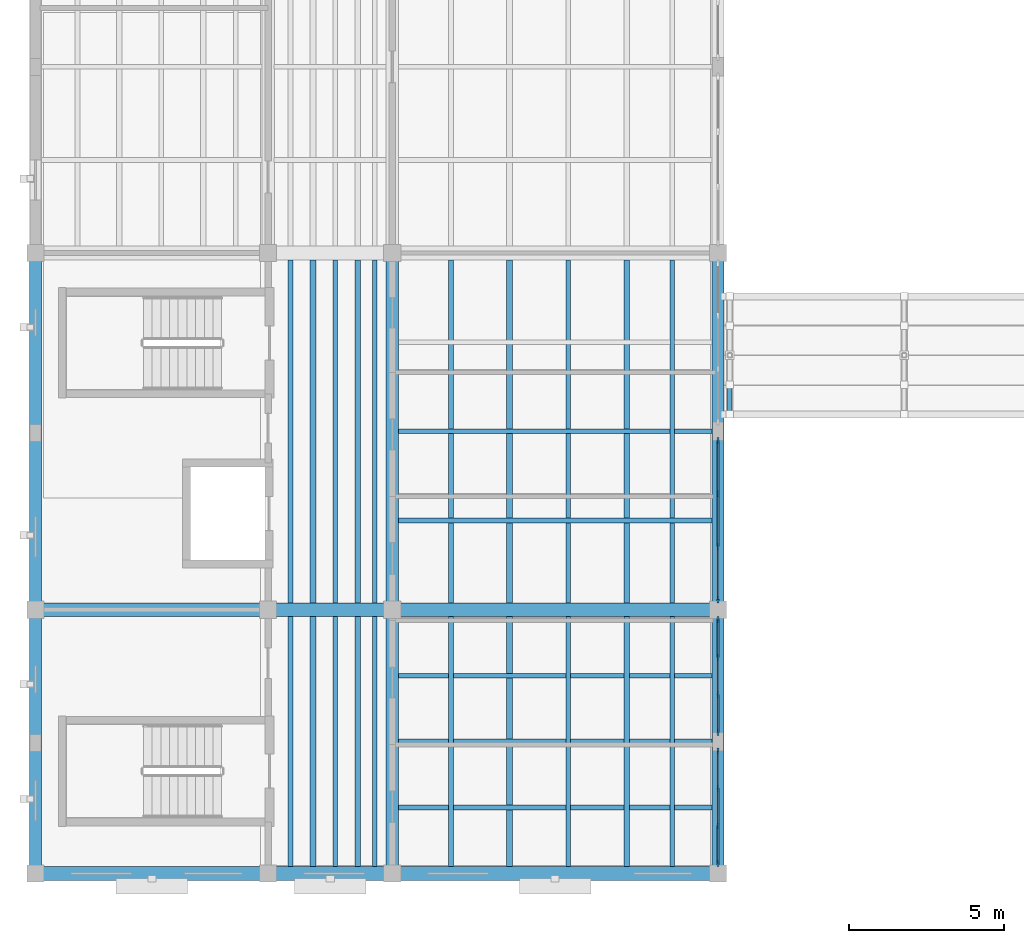
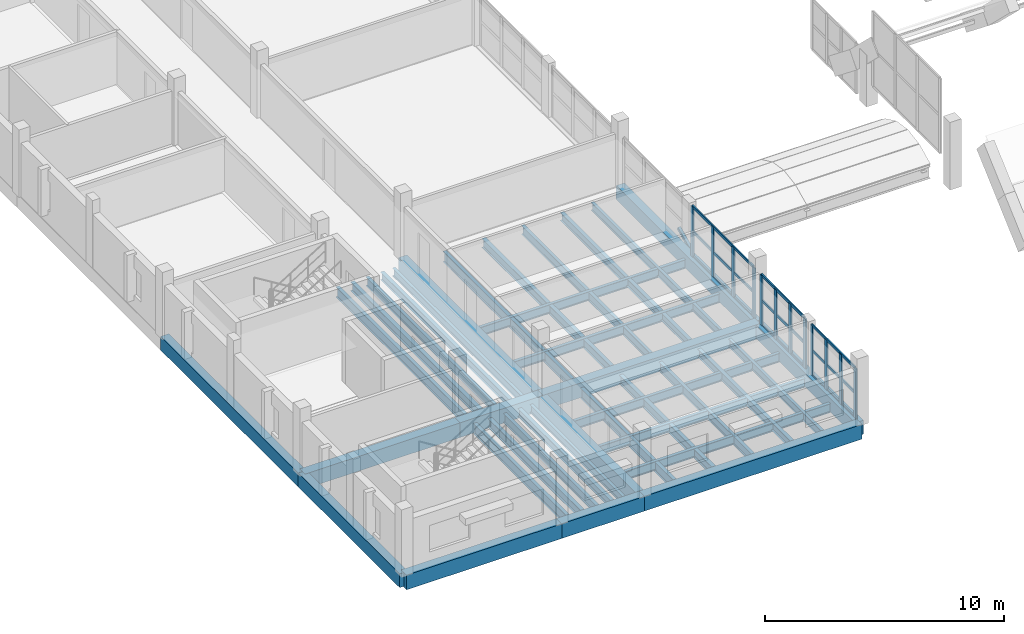
# One storey, part 3 of 48: 37 beams, 22 members, 3 elements without a shape of their own.
"""IFC4 building model written with IfcOpenShell, lengths in metres."""

from ifc_helpers import new_model, si_unit, direction, frame, origin, origin_2d, place, context, subcontext, project, spatial, rectangle, hollow_rectangle, i_section, extrude, material, layer, layer_set, material_profile, profile_set, type_object, element, aggregate, save


model = new_model("IFC4")

# Units and contexts
model_context = context("Model", 3, precision=1e-05, world=origin(), true_north=direction((0.0, 1.0)))
body_context = subcontext(model_context, "Body", "Model", "MODEL_VIEW")
ifc_project = project(units=[si_unit("LENGTHUNIT", "METRE"), si_unit("AREAUNIT", "SQUARE_METRE"), si_unit("VOLUMEUNIT", "CUBIC_METRE"), si_unit("PLANEANGLEUNIT", "RADIAN"), si_unit("MASSUNIT", "GRAM", prefix="KILO")], contexts=[model_context])

# Site, building, storey
site_placement = place(None, origin())
site = spatial("IfcSite", under=ifc_project, at=site_placement, CompositionType="ELEMENT")
building_placement = place(site_placement, origin())
building = spatial("IfcBuilding", under=site, at=building_placement, Name="Trellovar Central Fire Station", CompositionType="ELEMENT")
storey_placement = place(building_placement, frame((0.0, 0.0, 9.300048828125)))
storey = spatial("IfcBuildingStorey", under=building, at=storey_placement, Name="L03", CompositionType="ELEMENT", Elevation=9.300048828125)

# Beams
ifc_material_1 = material(Name="Concrete C40/50", Category="concrete")
ifc_material_profile_1 = material_profile(ifc_material_1, rectangle(XDim=0.449951171875, YDim=0.75, at=origin_2d()), Name="RC450X750")
ifc_profile_set_1 = profile_set([ifc_material_profile_1], Name="Concrete C40/50")
beam_type_1 = type_object("IfcBeamType", Name="BM-G2", PredefinedType="BEAM", material=ifc_profile_set_1)
beam_1_placement = place(storey_placement, frame((1.0, 9.0, -0.375), z_axis=(1.0, 0.0, 0.0), x_axis=(0.0, 1.0, 0.0)))
element("IfcBeam", 1, at=beam_1_placement, inside=storey, type_object=beam_type_1, Name="L03 beam G-2", PredefinedType="BEAM", context=body_context, shape_type="SweptSolid", body=[
    extrude(rectangle(XDim=0.449951171875, YDim=0.75, at=origin_2d()), origin(), (0.0, 0.0, 1.0), 7.5),
])
beam_2_placement = place(storey_placement, frame((8.5, 9.0, -0.375), z_axis=(1.0, 0.0, 0.0), x_axis=(0.0, 1.0, 0.0)))
element("IfcBeam", 2, at=beam_2_placement, inside=storey, type_object=beam_type_1, Name="L03 beam G-2", PredefinedType="BEAM", context=body_context, shape_type="SweptSolid", body=[
    extrude(rectangle(XDim=0.449951171875, YDim=0.75, at=origin_2d()), origin(), (0.0, 0.0, 1.0), 4.0),
])
beam_3_placement = place(storey_placement, frame((12.5, 9.0, -0.375), z_axis=(1.0, 0.0, 0.0), x_axis=(0.0, 1.0, 0.0)))
element("IfcBeam", 3, at=beam_3_placement, inside=storey, type_object=beam_type_1, Name="L03 beam G-2", PredefinedType="BEAM", context=body_context, shape_type="SweptSolid", body=[
    extrude(rectangle(XDim=0.449951171875, YDim=0.75, at=origin_2d()), origin(), (0.0, 0.0, 1.0), 10.5),
])
beam_4_placement = place(storey_placement, frame((1.0, 17.5, -0.375), z_axis=(1.0, 0.0, 0.0), x_axis=(0.0, 1.0, 0.0)))
element("IfcBeam", 4, at=beam_4_placement, inside=storey, type_object=beam_type_1, Name="L03 beam G-2", PredefinedType="BEAM", context=body_context, shape_type="SweptSolid", body=[
    extrude(rectangle(XDim=0.449951171875, YDim=0.75, at=origin_2d()), origin(), (0.0, 0.0, 1.0), 7.5),
])
beam_5_placement = place(storey_placement, frame((8.5, 17.5, -0.375), z_axis=(1.0, 0.0, 0.0), x_axis=(0.0, 1.0, 0.0)))
element("IfcBeam", 5, at=beam_5_placement, inside=storey, type_object=beam_type_1, Name="L03 beam G-2", PredefinedType="BEAM", context=body_context, shape_type="SweptSolid", body=[
    extrude(rectangle(XDim=0.449951171875, YDim=0.75, at=origin_2d()), origin(), (0.0, 0.0, 1.0), 4.0),
])
beam_6_placement = place(storey_placement, frame((12.5, 17.5, -0.375), z_axis=(1.0, 0.0, 0.0), x_axis=(0.0, 1.0, 0.0)))
element("IfcBeam", 6, at=beam_6_placement, inside=storey, type_object=beam_type_1, Name="L03 beam G-2", PredefinedType="BEAM", context=body_context, shape_type="SweptSolid", body=[
    extrude(rectangle(XDim=0.449951171875, YDim=0.75, at=origin_2d()), origin(), (0.0, 0.0, 1.0), 10.5),
])
ifc_material_2 = material(Name="Concrete C40/50", Category="concrete")
ifc_material_profile_2 = material_profile(ifc_material_2, rectangle(XDim=0.39990234375, YDim=0.699951171875, at=origin_2d()), Name="RC400X700")
ifc_profile_set_2 = profile_set([ifc_material_profile_2], Name="Concrete C40/50")
beam_type_2 = type_object("IfcBeamType", Name="BM-G3", PredefinedType="BEAM", material=ifc_profile_set_2)
beam_7_placement = place(storey_placement, frame((1.0, 9.0, -0.35009765625), z_axis=(0.0, 1.0, 0.0), x_axis=(-1.0, 0.0, 0.0)))
element("IfcBeam", 7, at=beam_7_placement, inside=storey, type_object=beam_type_2, Name="L03 beam G-3", PredefinedType="BEAM", context=body_context, shape_type="SweptSolid", body=[
    extrude(rectangle(XDim=0.39990234375, YDim=0.699951171875, at=origin_2d()), origin(), (0.0, 0.0, 1.0), 8.5),
])
beam_8_placement = place(storey_placement, frame((1.0, 17.5, -0.35009765625), z_axis=(0.0, 1.0, 0.0), x_axis=(-1.0, 0.0, 0.0)))
element("IfcBeam", 8, at=beam_8_placement, inside=storey, type_object=beam_type_2, Name="L03 beam G-3", PredefinedType="BEAM", context=body_context, shape_type="SweptSolid", body=[
    extrude(rectangle(XDim=0.39990234375, YDim=0.699951171875, at=origin_2d()), origin(), (0.0, 0.0, 1.0), 11.5),
])
beam_9_placement = place(storey_placement, frame((12.5, 9.0, -0.35009765625), z_axis=(0.0, 1.0, 0.0), x_axis=(-1.0, 0.0, 0.0)))
element("IfcBeam", 9, at=beam_9_placement, inside=storey, type_object=beam_type_2, Name="L03 beam G-3", PredefinedType="BEAM", context=body_context, shape_type="SweptSolid", body=[
    extrude(rectangle(XDim=0.39990234375, YDim=0.699951171875, at=origin_2d()), origin(), (0.0, 0.0, 1.0), 8.5),
])
beam_10_placement = place(storey_placement, frame((12.5, 17.5, -0.35009765625), z_axis=(0.0, 1.0, 0.0), x_axis=(-1.0, 0.0, 0.0)))
element("IfcBeam", 10, at=beam_10_placement, inside=storey, type_object=beam_type_2, Name="L03 beam G-3", PredefinedType="BEAM", context=body_context, shape_type="SweptSolid", body=[
    extrude(rectangle(XDim=0.39990234375, YDim=0.699951171875, at=origin_2d()), origin(), (0.0, 0.0, 1.0), 11.5),
])
beam_11_placement = place(storey_placement, frame((23.0, 9.0, -0.35009765625), z_axis=(0.0, 1.0, 0.0), x_axis=(-1.0, 0.0, 0.0)))
element("IfcBeam", 11, at=beam_11_placement, inside=storey, type_object=beam_type_2, Name="L03 beam G-3", PredefinedType="BEAM", context=body_context, shape_type="SweptSolid", body=[
    extrude(rectangle(XDim=0.39990234375, YDim=0.699951171875, at=origin_2d()), origin(), (0.0, 0.0, 1.0), 8.5),
])
beam_12_placement = place(storey_placement, frame((23.0, 17.5, -0.35009765625), z_axis=(0.0, 1.0, 0.0), x_axis=(-1.0, 0.0, 0.0)))
element("IfcBeam", 12, at=beam_12_placement, inside=storey, type_object=beam_type_2, Name="L03 beam G-3", PredefinedType="BEAM", context=body_context, shape_type="SweptSolid", body=[
    extrude(rectangle(XDim=0.39990234375, YDim=0.699951171875, at=origin_2d()), origin(), (0.0, 0.0, 1.0), 11.5),
])
ifc_material_3 = material(Name="Steel ASTM A992 Grade 50", Category="steel")
ifc_material_profile_3 = material_profile(ifc_material_3, i_section(OverallWidth=0.15283203125, OverallDepth=0.45458984375, WebThickness=0.008056640625, FlangeThickness=0.01318359375, FilletRadius=0.0126953125, at=origin_2d()), Name="W18X40")
ifc_profile_set_3 = profile_set([ifc_material_profile_3], Name="Steel ASTM A992 Grade 50")
beam_type_3 = type_object("IfcBeamType", Name="BM-SW10", PredefinedType="JOIST", material=ifc_profile_set_3)
for number, where, z_axis, x_axis, name in (
    (13, (12.695068359375, 11.125, -0.477294921875), (1.0, 0.0, 0.0), (0.0, 1.0, 0.0), "L03 beam SB-10"),
    (14, (12.695068359375, 13.25, -0.477294921875), (1.0, 0.0, 0.0), (0.0, 1.0, 0.0), "L03 beam SB-10"),
    (15, (12.695068359375, 15.375, -0.477294921875), (1.0, 0.0, 0.0), (0.0, 1.0, 0.0), "L03 beam SB-10"),
    (16, (12.695068359375, 20.375, -0.477294921875), (1.0, 0.0, 0.0), (0.0, 1.0, 0.0), "L03 beam SB-10"),
    (17, (12.695068359375, 23.25, -0.477294921875), (1.0, 0.0, 0.0), (0.0, 1.0, 0.0), "L03 beam SB-10"),
):
    element("IfcBeam", number, at=place(storey_placement, frame(where, z_axis=z_axis, x_axis=x_axis)), inside=storey, type_object=beam_type_3, Name=name, PredefinedType="JOIST", context=body_context, shape_type="SweptSolid", body=[
        extrude(i_section(OverallWidth=0.15283203125, OverallDepth=0.45458984375, WebThickness=0.008056640625, FlangeThickness=0.01318359375, FilletRadius=0.0126953125, at=origin_2d()), origin(), (0.0, 0.0, 1.0), 10.10986328125),
    ])
beam_13_placement = place(storey_placement, frame((10.659912109375, 9.219970703125, -0.477294921875), z_axis=(0.0, 1.0, 0.0), x_axis=(-1.0, 0.0, 0.0)))
element("IfcBeam", 18, at=beam_13_placement, inside=storey, type_object=beam_type_3, Name="L03 secondary steel deck joist", PredefinedType="JOIST", context=body_context, shape_type="SweptSolid", body=[
    extrude(i_section(OverallWidth=0.15283203125, OverallDepth=0.45458984375, WebThickness=0.008056640625, FlangeThickness=0.01318359375, FilletRadius=0.0126953125, at=origin_2d()), origin(), (0.0, 0.0, 1.0), 8.06005859375),
])
beam_14_placement = place(storey_placement, frame((10.659912109375, 17.719970703125, -0.477294921875), z_axis=(0.0, 1.0, 0.0), x_axis=(-1.0, 0.0, 0.0)))
element("IfcBeam", 19, at=beam_14_placement, inside=storey, type_object=beam_type_3, Name="L03 secondary steel deck joist", PredefinedType="JOIST", context=body_context, shape_type="SweptSolid", body=[
    extrude(i_section(OverallWidth=0.15283203125, OverallDepth=0.45458984375, WebThickness=0.008056640625, FlangeThickness=0.01318359375, FilletRadius=0.0126953125, at=origin_2d()), origin(), (0.0, 0.0, 1.0), 11.06005859375),
])
beam_15_placement = place(storey_placement, frame((18.169921875, 9.219970703125, -0.477294921875), z_axis=(0.0, 1.0, 0.0), x_axis=(-1.0, 0.0, 0.0)))
element("IfcBeam", 20, at=beam_15_placement, inside=storey, type_object=beam_type_3, Name="L03 secondary steel deck joist", PredefinedType="JOIST", context=body_context, shape_type="SweptSolid", body=[
    extrude(i_section(OverallWidth=0.15283203125, OverallDepth=0.45458984375, WebThickness=0.008056640625, FlangeThickness=0.01318359375, FilletRadius=0.0126953125, at=origin_2d()), origin(), (0.0, 0.0, 1.0), 8.06005859375),
])
beam_16_placement = place(storey_placement, frame((18.169921875, 17.719970703125, -0.477294921875), z_axis=(0.0, 1.0, 0.0), x_axis=(-1.0, 0.0, 0.0)))
element("IfcBeam", 21, at=beam_16_placement, inside=storey, type_object=beam_type_3, Name="L03 secondary steel deck joist", PredefinedType="JOIST", context=body_context, shape_type="SweptSolid", body=[
    extrude(i_section(OverallWidth=0.15283203125, OverallDepth=0.45458984375, WebThickness=0.008056640625, FlangeThickness=0.01318359375, FilletRadius=0.0126953125, at=origin_2d()), origin(), (0.0, 0.0, 1.0), 11.06005859375),
])
ifc_material_4 = material(Name="Steel ASTM A992 Grade 50", Category="steel")
ifc_material_profile_4 = material_profile(ifc_material_4, i_section(OverallWidth=0.177490234375, OverallDepth=0.40380859375, WebThickness=0.007568359375, FlangeThickness=0.010986328125, FilletRadius=0.011474609375, at=origin_2d()), Name="W16X36")
ifc_profile_set_4 = profile_set([ifc_material_profile_4], Name="Steel ASTM A992 Grade 50")
beam_type_4 = type_object("IfcBeamType", Name="BM-SW11", PredefinedType="JOIST", material=ifc_profile_set_4)
beam_17_placement = place(storey_placement, frame((11.3798828125, 9.219970703125, -0.451904296875), z_axis=(0.0, 1.0, 0.0), x_axis=(-1.0, 0.0, 0.0)))
element("IfcBeam", 22, at=beam_17_placement, inside=storey, type_object=beam_type_4, Name="L03 secondary steel deck joist", PredefinedType="JOIST", context=body_context, shape_type="SweptSolid", body=[
    extrude(i_section(OverallWidth=0.177490234375, OverallDepth=0.40380859375, WebThickness=0.007568359375, FlangeThickness=0.010986328125, FilletRadius=0.011474609375, at=origin_2d()), origin(), (0.0, 0.0, 1.0), 8.06005859375),
])
beam_18_placement = place(storey_placement, frame((11.3798828125, 17.719970703125, -0.451904296875), z_axis=(0.0, 1.0, 0.0), x_axis=(-1.0, 0.0, 0.0)))
element("IfcBeam", 23, at=beam_18_placement, inside=storey, type_object=beam_type_4, Name="L03 secondary steel deck joist", PredefinedType="JOIST", context=body_context, shape_type="SweptSolid", body=[
    extrude(i_section(OverallWidth=0.177490234375, OverallDepth=0.40380859375, WebThickness=0.007568359375, FlangeThickness=0.010986328125, FilletRadius=0.011474609375, at=origin_2d()), origin(), (0.0, 0.0, 1.0), 11.06005859375),
])
beam_19_placement = place(storey_placement, frame((20.06005859375, 9.219970703125, -0.451904296875), z_axis=(0.0, 1.0, 0.0), x_axis=(-1.0, 0.0, 0.0)))
element("IfcBeam", 24, at=beam_19_placement, inside=storey, type_object=beam_type_4, Name="L03 secondary steel deck joist", PredefinedType="JOIST", context=body_context, shape_type="SweptSolid", body=[
    extrude(i_section(OverallWidth=0.177490234375, OverallDepth=0.40380859375, WebThickness=0.007568359375, FlangeThickness=0.010986328125, FilletRadius=0.011474609375, at=origin_2d()), origin(), (0.0, 0.0, 1.0), 8.06005859375),
])
beam_20_placement = place(storey_placement, frame((20.06005859375, 17.719970703125, -0.451904296875), z_axis=(0.0, 1.0, 0.0), x_axis=(-1.0, 0.0, 0.0)))
element("IfcBeam", 25, at=beam_20_placement, inside=storey, type_object=beam_type_4, Name="L03 secondary steel deck joist", PredefinedType="JOIST", context=body_context, shape_type="SweptSolid", body=[
    extrude(i_section(OverallWidth=0.177490234375, OverallDepth=0.40380859375, WebThickness=0.007568359375, FlangeThickness=0.010986328125, FilletRadius=0.011474609375, at=origin_2d()), origin(), (0.0, 0.0, 1.0), 11.06005859375),
])
ifc_material_5 = material(Name="Steel ASTM A992 Grade 50", Category="steel")
ifc_material_profile_5 = material_profile(ifc_material_5, i_section(OverallWidth=0.140380859375, OverallDepth=0.4033203125, WebThickness=0.007080078125, FlangeThickness=0.01123046875, FilletRadius=0.011474609375, at=origin_2d()), Name="W16X31")
ifc_profile_set_5 = profile_set([ifc_material_profile_5], Name="Steel ASTM A992 Grade 50")
beam_type_5 = type_object("IfcBeamType", Name="BM-SW12", PredefinedType="JOIST", material=ifc_profile_set_5)
beam_21_placement = place(storey_placement, frame((11.93994140625, 9.219970703125, -0.45166015625), z_axis=(0.0, 1.0, 0.0), x_axis=(-1.0, 0.0, 0.0)))
element("IfcBeam", 26, at=beam_21_placement, inside=storey, type_object=beam_type_5, Name="L03 secondary steel deck joist", PredefinedType="JOIST", context=body_context, shape_type="SweptSolid", body=[
    extrude(i_section(OverallWidth=0.140380859375, OverallDepth=0.4033203125, WebThickness=0.007080078125, FlangeThickness=0.01123046875, FilletRadius=0.011474609375, at=origin_2d()), origin(), (0.0, 0.0, 1.0), 8.06005859375),
])
beam_22_placement = place(storey_placement, frame((11.93994140625, 17.719970703125, -0.45166015625), z_axis=(0.0, 1.0, 0.0), x_axis=(-1.0, 0.0, 0.0)))
element("IfcBeam", 27, at=beam_22_placement, inside=storey, type_object=beam_type_5, Name="L03 secondary steel deck joist", PredefinedType="JOIST", context=body_context, shape_type="SweptSolid", body=[
    extrude(i_section(OverallWidth=0.140380859375, OverallDepth=0.4033203125, WebThickness=0.007080078125, FlangeThickness=0.01123046875, FilletRadius=0.011474609375, at=origin_2d()), origin(), (0.0, 0.0, 1.0), 11.06005859375),
])
beam_23_placement = place(storey_placement, frame((21.530029296875, 9.219970703125, -0.45166015625), z_axis=(0.0, 1.0, 0.0), x_axis=(-1.0, 0.0, 0.0)))
element("IfcBeam", 28, at=beam_23_placement, inside=storey, type_object=beam_type_5, Name="L03 secondary steel deck joist", PredefinedType="JOIST", context=body_context, shape_type="SweptSolid", body=[
    extrude(i_section(OverallWidth=0.140380859375, OverallDepth=0.4033203125, WebThickness=0.007080078125, FlangeThickness=0.01123046875, FilletRadius=0.011474609375, at=origin_2d()), origin(), (0.0, 0.0, 1.0), 8.06005859375),
])
beam_24_placement = place(storey_placement, frame((21.530029296875, 17.719970703125, -0.45166015625), z_axis=(0.0, 1.0, 0.0), x_axis=(-1.0, 0.0, 0.0)))
element("IfcBeam", 29, at=beam_24_placement, inside=storey, type_object=beam_type_5, Name="L03 secondary steel deck joist", PredefinedType="JOIST", context=body_context, shape_type="SweptSolid", body=[
    extrude(i_section(OverallWidth=0.140380859375, OverallDepth=0.4033203125, WebThickness=0.007080078125, FlangeThickness=0.01123046875, FilletRadius=0.011474609375, at=origin_2d()), origin(), (0.0, 0.0, 1.0), 11.06005859375),
])
ifc_material_6 = material(Name="Steel ASTM A992 Grade 50", Category="steel")
ifc_material_profile_6 = material_profile(ifc_material_6, i_section(OverallWidth=0.166015625, OverallDepth=0.529052734375, WebThickness=0.009765625, FlangeThickness=0.013671875, FilletRadius=0.013916015625, at=origin_2d()), Name="W21X50")
ifc_profile_set_6 = profile_set([ifc_material_profile_6], Name="Steel ASTM A992 Grade 50")
beam_type_6 = type_object("IfcBeamType", Name="BM-SW8", PredefinedType="JOIST", material=ifc_profile_set_6)
beam_25_placement = place(storey_placement, frame((9.219970703125, 9.219970703125, -0.5146484375), z_axis=(0.0, 1.0, 0.0), x_axis=(-1.0, 0.0, 0.0)))
element("IfcBeam", 30, at=beam_25_placement, inside=storey, type_object=beam_type_6, Name="L03 secondary steel deck joist", PredefinedType="JOIST", context=body_context, shape_type="SweptSolid", body=[
    extrude(i_section(OverallWidth=0.166015625, OverallDepth=0.529052734375, WebThickness=0.009765625, FlangeThickness=0.013671875, FilletRadius=0.013916015625, at=origin_2d()), origin(), (0.0, 0.0, 1.0), 8.06005859375),
])
beam_26_placement = place(storey_placement, frame((9.219970703125, 17.719970703125, -0.5146484375), z_axis=(0.0, 1.0, 0.0), x_axis=(-1.0, 0.0, 0.0)))
element("IfcBeam", 31, at=beam_26_placement, inside=storey, type_object=beam_type_6, Name="L03 secondary steel deck joist", PredefinedType="JOIST", context=body_context, shape_type="SweptSolid", body=[
    extrude(i_section(OverallWidth=0.166015625, OverallDepth=0.529052734375, WebThickness=0.009765625, FlangeThickness=0.013671875, FilletRadius=0.013916015625, at=origin_2d()), origin(), (0.0, 0.0, 1.0), 11.06005859375),
])
beam_27_placement = place(storey_placement, frame((14.389892578125, 9.219970703125, -0.5146484375), z_axis=(0.0, 1.0, 0.0), x_axis=(-1.0, 0.0, 0.0)))
element("IfcBeam", 32, at=beam_27_placement, inside=storey, type_object=beam_type_6, Name="L03 secondary steel deck joist", PredefinedType="JOIST", context=body_context, shape_type="SweptSolid", body=[
    extrude(i_section(OverallWidth=0.166015625, OverallDepth=0.529052734375, WebThickness=0.009765625, FlangeThickness=0.013671875, FilletRadius=0.013916015625, at=origin_2d()), origin(), (0.0, 0.0, 1.0), 8.06005859375),
])
beam_28_placement = place(storey_placement, frame((14.389892578125, 17.719970703125, -0.5146484375), z_axis=(0.0, 1.0, 0.0), x_axis=(-1.0, 0.0, 0.0)))
element("IfcBeam", 33, at=beam_28_placement, inside=storey, type_object=beam_type_6, Name="L03 secondary steel deck joist", PredefinedType="JOIST", context=body_context, shape_type="SweptSolid", body=[
    extrude(i_section(OverallWidth=0.166015625, OverallDepth=0.529052734375, WebThickness=0.009765625, FlangeThickness=0.013671875, FilletRadius=0.013916015625, at=origin_2d()), origin(), (0.0, 0.0, 1.0), 11.06005859375),
])
ifc_material_7 = material(Name="Steel ASTM A992 Grade 50", Category="steel")
ifc_material_profile_7 = material_profile(ifc_material_7, i_section(OverallWidth=0.1904296875, OverallDepth=0.457275390625, WebThickness=0.009033203125, FlangeThickness=0.014404296875, FilletRadius=0.0126953125, at=origin_2d()), Name="W18X50")
ifc_profile_set_7 = profile_set([ifc_material_profile_7], Name="Steel ASTM A992 Grade 50")
beam_type_7 = type_object("IfcBeamType", Name="BM-SW9", PredefinedType="JOIST", material=ifc_profile_set_7)
beam_29_placement = place(storey_placement, frame((9.93994140625, 9.219970703125, -0.478759765625), z_axis=(0.0, 1.0, 0.0), x_axis=(-1.0, 0.0, 0.0)))
element("IfcBeam", 34, at=beam_29_placement, inside=storey, type_object=beam_type_7, Name="L03 secondary steel deck joist", PredefinedType="JOIST", context=body_context, shape_type="SweptSolid", body=[
    extrude(i_section(OverallWidth=0.1904296875, OverallDepth=0.457275390625, WebThickness=0.009033203125, FlangeThickness=0.014404296875, FilletRadius=0.0126953125, at=origin_2d()), origin(), (0.0, 0.0, 1.0), 8.06005859375),
])
beam_30_placement = place(storey_placement, frame((9.93994140625, 17.719970703125, -0.478759765625), z_axis=(0.0, 1.0, 0.0), x_axis=(-1.0, 0.0, 0.0)))
element("IfcBeam", 35, at=beam_30_placement, inside=storey, type_object=beam_type_7, Name="L03 secondary steel deck joist", PredefinedType="JOIST", context=body_context, shape_type="SweptSolid", body=[
    extrude(i_section(OverallWidth=0.1904296875, OverallDepth=0.457275390625, WebThickness=0.009033203125, FlangeThickness=0.014404296875, FilletRadius=0.0126953125, at=origin_2d()), origin(), (0.0, 0.0, 1.0), 11.06005859375),
])
beam_31_placement = place(storey_placement, frame((16.280029296875, 9.219970703125, -0.478759765625), z_axis=(0.0, 1.0, 0.0), x_axis=(-1.0, 0.0, 0.0)))
element("IfcBeam", 36, at=beam_31_placement, inside=storey, type_object=beam_type_7, Name="L03 secondary steel deck joist", PredefinedType="JOIST", context=body_context, shape_type="SweptSolid", body=[
    extrude(i_section(OverallWidth=0.1904296875, OverallDepth=0.457275390625, WebThickness=0.009033203125, FlangeThickness=0.014404296875, FilletRadius=0.0126953125, at=origin_2d()), origin(), (0.0, 0.0, 1.0), 8.06005859375),
])
beam_32_placement = place(storey_placement, frame((16.280029296875, 17.719970703125, -0.478759765625), z_axis=(0.0, 1.0, 0.0), x_axis=(-1.0, 0.0, 0.0)))
element("IfcBeam", 37, at=beam_32_placement, inside=storey, type_object=beam_type_7, Name="L03 secondary steel deck joist", PredefinedType="JOIST", context=body_context, shape_type="SweptSolid", body=[
    extrude(i_section(OverallWidth=0.1904296875, OverallDepth=0.457275390625, WebThickness=0.009033203125, FlangeThickness=0.014404296875, FilletRadius=0.0126953125, at=origin_2d()), origin(), (0.0, 0.0, 1.0), 11.06005859375),
])

# Curtain wall, members
ifc_material_8 = material(Name="Thermally broken bronze anodized aluminum", Category="aluminium")
ifc_layer_1 = layer(ifc_material_8, 0.159912109375)
ifc_layer_set_1 = layer_set([ifc_layer_1], Name="Thermally broken bronze anodized aluminum")
curtain_wall_type_1 = type_object("IfcCurtainWallType", Name="CW-01", PredefinedType="NOTDEFINED", material=ifc_layer_set_1)
curtain_wall_1_placement = place(storey_placement, origin())
curtain_wall_1 = element("IfcCurtainWall", 38, at=curtain_wall_1_placement, inside=storey, type_object=curtain_wall_type_1, Name="L03 curtain wall CW-1", PredefinedType="NOTDEFINED")
ifc_material_9 = material(Name="Thermally broken bronze anodized aluminum", Category="aluminium")
ifc_material_profile_8 = material_profile(ifc_material_9, rectangle(XDim=0.074951171875, YDim=0.199951171875, at=origin_2d()), Name="ALU75X200")
ifc_profile_set_8 = profile_set([ifc_material_profile_8], Name="Thermally broken bronze anodized aluminum")
member_type_1 = type_object("IfcMemberType", Name="CWM-1", PredefinedType="MULLION", material=ifc_profile_set_8)
member_1_placement = place(storey_placement, frame((23.0, 9.324951171875, 0.0), z_axis=(0.0, 0.0, 1.0), x_axis=(1.0, 0.0, 0.0)))
member_1 = element("IfcMember", 39, at=member_1_placement, type_object=member_type_1, Name="CW3-L03-0045 mullion 1", PredefinedType="MULLION", context=body_context, shape_type="SweptSolid", body=[
    extrude(rectangle(XDim=0.074951171875, YDim=0.199951171875, at=origin_2d()), origin(), (0.0, 0.0, 1.0), 2.550048828125),
])
member_2_placement = place(storey_placement, frame((23.0, 10.533203125, 0.0), z_axis=(0.0, 0.0, 1.0), x_axis=(1.0, 0.0, 0.0)))
member_2 = element("IfcMember", 40, at=member_2_placement, type_object=member_type_1, Name="CW3-L03-0045 mullion 2", PredefinedType="MULLION", context=body_context, shape_type="SweptSolid", body=[
    extrude(rectangle(XDim=0.074951171875, YDim=0.199951171875, at=origin_2d()), origin(), (0.0, 0.0, 1.0), 2.550048828125),
])
member_3_placement = place(storey_placement, frame((23.0, 11.74169921875, 0.0), z_axis=(0.0, 0.0, 1.0), x_axis=(1.0, 0.0, 0.0)))
member_3 = element("IfcMember", 41, at=member_3_placement, type_object=member_type_1, Name="CW3-L03-0045 mullion 3", PredefinedType="MULLION", context=body_context, shape_type="SweptSolid", body=[
    extrude(rectangle(XDim=0.074951171875, YDim=0.199951171875, at=origin_2d()), origin(), (0.0, 0.0, 1.0), 2.550048828125),
])
member_4_placement = place(storey_placement, frame((23.0, 12.949951171875, 0.0), z_axis=(0.0, 0.0, 1.0), x_axis=(1.0, 0.0, 0.0)))
member_4 = element("IfcMember", 42, at=member_4_placement, type_object=member_type_1, Name="CW3-L03-0045 mullion 4", PredefinedType="MULLION", context=body_context, shape_type="SweptSolid", body=[
    extrude(rectangle(XDim=0.074951171875, YDim=0.199951171875, at=origin_2d()), origin(), (0.0, 0.0, 1.0), 2.550048828125),
])

curtain_wall_2_placement = place(storey_placement, origin())
curtain_wall_2 = element("IfcCurtainWall", 43, at=curtain_wall_2_placement, inside=storey, type_object=curtain_wall_type_1, Name="L03 curtain wall CW-1", PredefinedType="NOTDEFINED")
member_5_placement = place(storey_placement, frame((23.0, 13.550048828125, 0.0), z_axis=(0.0, 0.0, 1.0), x_axis=(1.0, 0.0, 0.0)))
member_5 = element("IfcMember", 44, at=member_5_placement, type_object=member_type_1, Name="CW3-L03-0046 mullion 1", PredefinedType="MULLION", context=body_context, shape_type="SweptSolid", body=[
    extrude(rectangle(XDim=0.074951171875, YDim=0.199951171875, at=origin_2d()), origin(), (0.0, 0.0, 1.0), 2.550048828125),
])
member_6_placement = place(storey_placement, frame((23.0, 14.75830078125, 0.0), z_axis=(0.0, 0.0, 1.0), x_axis=(1.0, 0.0, 0.0)))
member_6 = element("IfcMember", 45, at=member_6_placement, type_object=member_type_1, Name="CW3-L03-0046 mullion 2", PredefinedType="MULLION", context=body_context, shape_type="SweptSolid", body=[
    extrude(rectangle(XDim=0.074951171875, YDim=0.199951171875, at=origin_2d()), origin(), (0.0, 0.0, 1.0), 2.550048828125),
])
member_7_placement = place(storey_placement, frame((23.0, 15.966796875, 0.0), z_axis=(0.0, 0.0, 1.0), x_axis=(1.0, 0.0, 0.0)))
member_7 = element("IfcMember", 46, at=member_7_placement, type_object=member_type_1, Name="CW3-L03-0046 mullion 3", PredefinedType="MULLION", context=body_context, shape_type="SweptSolid", body=[
    extrude(rectangle(XDim=0.074951171875, YDim=0.199951171875, at=origin_2d()), origin(), (0.0, 0.0, 1.0), 2.550048828125),
])
member_8_placement = place(storey_placement, frame((23.0, 17.175048828125, 0.0), z_axis=(0.0, 0.0, 1.0), x_axis=(1.0, 0.0, 0.0)))
member_8 = element("IfcMember", 47, at=member_8_placement, type_object=member_type_1, Name="CW3-L03-0046 mullion 4", PredefinedType="MULLION", context=body_context, shape_type="SweptSolid", body=[
    extrude(rectangle(XDim=0.074951171875, YDim=0.199951171875, at=origin_2d()), origin(), (0.0, 0.0, 1.0), 2.550048828125),
])

ifc_material_10 = material(Name="Thermally broken bronze anodized aluminum", Category="aluminium")
ifc_layer_2 = layer(ifc_material_10, 0.159912109375)
ifc_layer_set_2 = layer_set([ifc_layer_2], Name="Thermally broken bronze anodized aluminum")
curtain_wall_type_2 = type_object("IfcCurtainWallType", Name="CW-02", PredefinedType="NOTDEFINED", material=ifc_layer_set_2)
curtain_wall_3_placement = place(storey_placement, origin())
curtain_wall_3 = element("IfcCurtainWall", 48, at=curtain_wall_3_placement, inside=storey, type_object=curtain_wall_type_2, Name="L03 curtain wall CW-2", PredefinedType="NOTDEFINED")
member_9_placement = place(storey_placement, frame((23.0, 17.824951171875, 0.0), z_axis=(0.0, 0.0, 1.0), x_axis=(1.0, 0.0, 0.0)))
member_9 = element("IfcMember", 49, at=member_9_placement, type_object=member_type_1, Name="CW3-L03-0047 mullion 1", PredefinedType="MULLION", context=body_context, shape_type="SweptSolid", body=[
    extrude(rectangle(XDim=0.074951171875, YDim=0.199951171875, at=origin_2d()), origin(), (0.0, 0.0, 1.0), 2.550048828125),
])
member_10_placement = place(storey_placement, frame((23.0, 19.533203125, 0.0), z_axis=(0.0, 0.0, 1.0), x_axis=(1.0, 0.0, 0.0)))
member_10 = element("IfcMember", 50, at=member_10_placement, type_object=member_type_1, Name="CW3-L03-0047 mullion 2", PredefinedType="MULLION", context=body_context, shape_type="SweptSolid", body=[
    extrude(rectangle(XDim=0.074951171875, YDim=0.199951171875, at=origin_2d()), origin(), (0.0, 0.0, 1.0), 2.550048828125),
])
member_11_placement = place(storey_placement, frame((23.0, 21.24169921875, 0.0), z_axis=(0.0, 0.0, 1.0), x_axis=(1.0, 0.0, 0.0)))
member_11 = element("IfcMember", 51, at=member_11_placement, type_object=member_type_1, Name="CW3-L03-0047 mullion 3", PredefinedType="MULLION", context=body_context, shape_type="SweptSolid", body=[
    extrude(rectangle(XDim=0.074951171875, YDim=0.199951171875, at=origin_2d()), origin(), (0.0, 0.0, 1.0), 2.550048828125),
])
member_12_placement = place(storey_placement, frame((23.0, 22.949951171875, 0.0), z_axis=(0.0, 0.0, 1.0), x_axis=(1.0, 0.0, 0.0)))
member_12 = element("IfcMember", 52, at=member_12_placement, type_object=member_type_1, Name="CW3-L03-0047 mullion 4", PredefinedType="MULLION", context=body_context, shape_type="SweptSolid", body=[
    extrude(rectangle(XDim=0.074951171875, YDim=0.199951171875, at=origin_2d()), origin(), (0.0, 0.0, 1.0), 2.550048828125),
])

# Member
ifc_material_11 = material(Name="Thermally broken bronze anodized aluminum", Category="aluminium")
ifc_material_profile_9 = material_profile(ifc_material_11, rectangle(XDim=0.06005859375, YDim=0.139892578125, at=origin_2d()), Name="ALU60X140")
ifc_profile_set_9 = profile_set([ifc_material_profile_9], Name="Thermally broken bronze anodized aluminum")
member_type_2 = type_object("IfcMemberType", Name="CWT-1", PredefinedType="USERDEFINED", material=ifc_profile_set_9)
member_13_placement = place(storey_placement, frame((23.0, 9.324951171875, 0.0), z_axis=(0.0, 1.0, 0.0), x_axis=(-1.0, 0.0, 0.0)))
member_13 = element("IfcMember", 53, at=member_13_placement, type_object=member_type_2, Name="CW3-L03-0045 transom 1", ObjectType="TRANSOM", PredefinedType="USERDEFINED", context=body_context, shape_type="SweptSolid", body=[
    extrude(rectangle(XDim=0.06005859375, YDim=0.139892578125, at=origin_2d()), origin(), (0.0, 0.0, 1.0), 3.625),
])

member_14_placement = place(storey_placement, frame((23.0, 9.324951171875, 1.27490234375), z_axis=(0.0, 1.0, 0.0), x_axis=(-1.0, 0.0, 0.0)))
member_14 = element("IfcMember", 54, at=member_14_placement, type_object=member_type_2, Name="CW3-L03-0045 transom 2", ObjectType="TRANSOM", PredefinedType="USERDEFINED", context=body_context, shape_type="SweptSolid", body=[
    extrude(rectangle(XDim=0.06005859375, YDim=0.139892578125, at=origin_2d()), origin(), (0.0, 0.0, 1.0), 3.625),
])

member_15_placement = place(storey_placement, frame((23.0, 9.324951171875, 2.550048828125), z_axis=(0.0, 1.0, 0.0), x_axis=(-1.0, 0.0, 0.0)))
member_15 = element("IfcMember", 55, at=member_15_placement, type_object=member_type_2, Name="CW3-L03-0045 transom 3", ObjectType="TRANSOM", PredefinedType="USERDEFINED", context=body_context, shape_type="SweptSolid", body=[
    extrude(rectangle(XDim=0.06005859375, YDim=0.139892578125, at=origin_2d()), origin(), (0.0, 0.0, 1.0), 3.625),
])

aggregate(curtain_wall_1, [member_1, member_2, member_3, member_4, member_13, member_14, member_15])

member_16_placement = place(storey_placement, frame((23.0, 13.550048828125, 0.0), z_axis=(0.0, 1.0, 0.0), x_axis=(-1.0, 0.0, 0.0)))
member_16 = element("IfcMember", 56, at=member_16_placement, type_object=member_type_2, Name="CW3-L03-0046 transom 1", ObjectType="TRANSOM", PredefinedType="USERDEFINED", context=body_context, shape_type="SweptSolid", body=[
    extrude(rectangle(XDim=0.06005859375, YDim=0.139892578125, at=origin_2d()), origin(), (0.0, 0.0, 1.0), 3.625),
])

member_17_placement = place(storey_placement, frame((23.0, 13.550048828125, 1.27490234375), z_axis=(0.0, 1.0, 0.0), x_axis=(-1.0, 0.0, 0.0)))
member_17 = element("IfcMember", 57, at=member_17_placement, type_object=member_type_2, Name="CW3-L03-0046 transom 2", ObjectType="TRANSOM", PredefinedType="USERDEFINED", context=body_context, shape_type="SweptSolid", body=[
    extrude(rectangle(XDim=0.06005859375, YDim=0.139892578125, at=origin_2d()), origin(), (0.0, 0.0, 1.0), 3.625),
])

member_18_placement = place(storey_placement, frame((23.0, 13.550048828125, 2.550048828125), z_axis=(0.0, 1.0, 0.0), x_axis=(-1.0, 0.0, 0.0)))
member_18 = element("IfcMember", 58, at=member_18_placement, type_object=member_type_2, Name="CW3-L03-0046 transom 3", ObjectType="TRANSOM", PredefinedType="USERDEFINED", context=body_context, shape_type="SweptSolid", body=[
    extrude(rectangle(XDim=0.06005859375, YDim=0.139892578125, at=origin_2d()), origin(), (0.0, 0.0, 1.0), 3.625),
])

aggregate(curtain_wall_2, [member_5, member_6, member_7, member_8, member_16, member_17, member_18])

member_19_placement = place(storey_placement, frame((23.0, 17.824951171875, 0.0), z_axis=(0.0, 1.0, 0.0), x_axis=(-1.0, 0.0, 0.0)))
member_19 = element("IfcMember", 59, at=member_19_placement, type_object=member_type_2, Name="CW3-L03-0047 transom 1", ObjectType="TRANSOM", PredefinedType="USERDEFINED", context=body_context, shape_type="SweptSolid", body=[
    extrude(rectangle(XDim=0.06005859375, YDim=0.139892578125, at=origin_2d()), origin(), (0.0, 0.0, 1.0), 5.125),
])

member_20_placement = place(storey_placement, frame((23.0, 17.824951171875, 1.27490234375), z_axis=(0.0, 1.0, 0.0), x_axis=(-1.0, 0.0, 0.0)))
member_20 = element("IfcMember", 60, at=member_20_placement, type_object=member_type_2, Name="CW3-L03-0047 transom 2", ObjectType="TRANSOM", PredefinedType="USERDEFINED", context=body_context, shape_type="SweptSolid", body=[
    extrude(rectangle(XDim=0.06005859375, YDim=0.139892578125, at=origin_2d()), origin(), (0.0, 0.0, 1.0), 5.125),
])

member_21_placement = place(storey_placement, frame((23.0, 17.824951171875, 2.550048828125), z_axis=(0.0, 1.0, 0.0), x_axis=(-1.0, 0.0, 0.0)))
member_21 = element("IfcMember", 61, at=member_21_placement, type_object=member_type_2, Name="CW3-L03-0047 transom 3", ObjectType="TRANSOM", PredefinedType="USERDEFINED", context=body_context, shape_type="SweptSolid", body=[
    extrude(rectangle(XDim=0.06005859375, YDim=0.139892578125, at=origin_2d()), origin(), (0.0, 0.0, 1.0), 5.125),
])

aggregate(curtain_wall_3, [member_9, member_10, member_11, member_12, member_19, member_20, member_21])

ifc_material_12 = material(Name="Steel ASTM A500 Grade C", Category="steel")
ifc_material_profile_10 = material_profile(ifc_material_12, hollow_rectangle(XDim=0.15234375, YDim=0.15234375, WallThickness=0.0087890625, InnerFilletRadius=0.0087890625, OuterFilletRadius=0.017822265625, at=origin_2d()), Name="HSS6X6X3/8")
ifc_profile_set_10 = profile_set([ifc_material_profile_10], Name="Steel ASTM A500 Grade C")
member_type_3 = type_object("IfcMemberType", Name="MEM-CH2", PredefinedType="CHORD", material=ifc_profile_set_10)
member_22_placement = place(storey_placement, frame((23.3798828125, 23.800048828125, -0.22998046875), z_axis=(0.0, 0.903747297472, 0.428066376058), x_axis=(-1.0, 0.0, 0.0)))
element("IfcMember", 62, at=member_22_placement, inside=storey, type_object=member_type_3, Name="Cloister bridge Catalan vault arch rib", PredefinedType="CHORD", context=body_context, shape_type="SweptSolid", body=[
    extrude(hollow_rectangle(XDim=0.15234375, YDim=0.15234375, WallThickness=0.0087890625, InnerFilletRadius=0.0087890625, OuterFilletRadius=0.017822265625, at=origin_2d()), origin(), (0.0, 0.0, 1.0), 1.051025390625),
])

save(model, "model.ifc")
